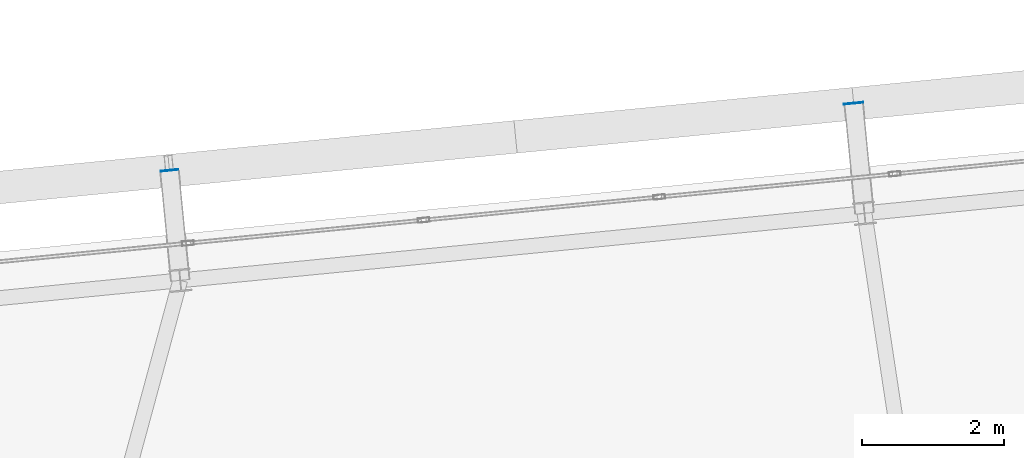
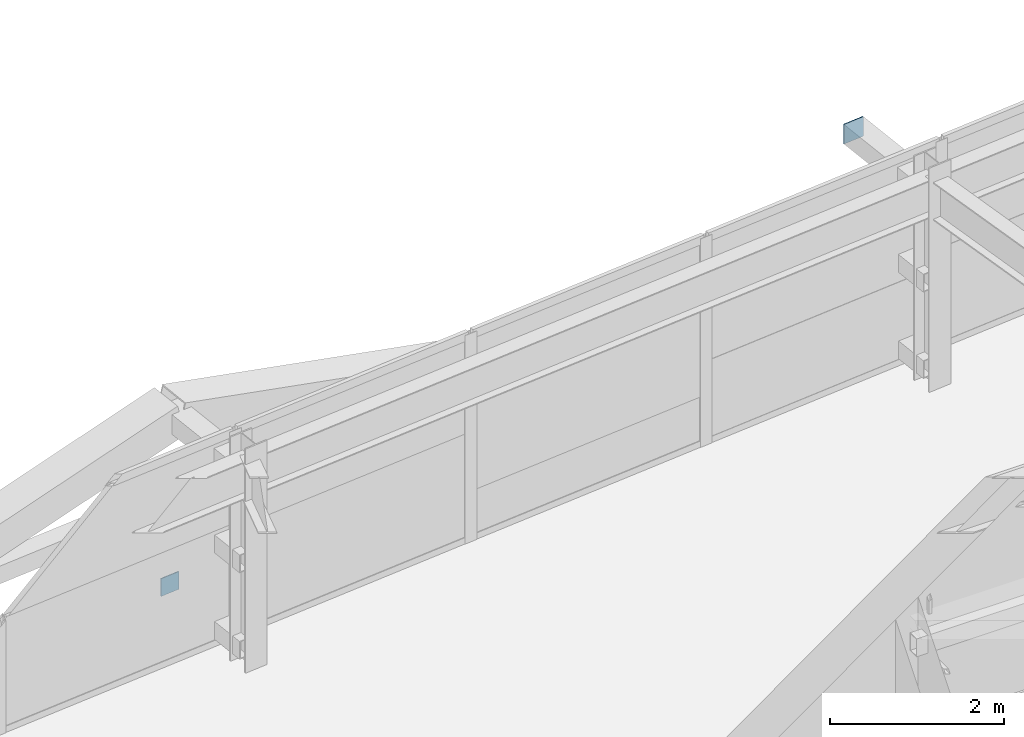
# One storey, part 44 of 53: 2 plates.
"""IFC4 building model written with IfcOpenShell, lengths in metres."""

from ifc_helpers import new_model, si_unit, direction, frame, origin, origin_2d, place, context, subcontext, project, spatial, rectangle, extrude, source, transform, mapped, material, layer, layer_set, type_object, element, save


model = new_model("IFC4")

# Units and contexts
model_context = context("Model", 3, precision=1e-05, world=origin(), true_north=direction((0.0, 1.0)))
body_context = subcontext(model_context, "Body", "Model", "MODEL_VIEW")
ifc_project = project(units=[si_unit("LENGTHUNIT", "METRE"), si_unit("AREAUNIT", "SQUARE_METRE"), si_unit("VOLUMEUNIT", "CUBIC_METRE"), si_unit("PLANEANGLEUNIT", "RADIAN"), si_unit("MASSUNIT", "GRAM", prefix="KILO")], contexts=[model_context])

# Site, building, storey
site_placement = place(None, origin())
site = spatial("IfcSite", under=ifc_project, at=site_placement, CompositionType="ELEMENT")
building_placement = place(site_placement, origin())
building = spatial("IfcBuilding", under=site, at=building_placement, Name="Taldren Reach Tower", CompositionType="ELEMENT")
storey_placement = place(building_placement, frame((0.0, 0.0, 68.25)))
storey = spatial("IfcBuildingStorey", under=building, at=storey_placement, Name="L20", CompositionType="ELEMENT", Elevation=68.25)

# Plates
ifc_material_1 = material(Name="Steel Gr 450 (C450L0)", Category="steel")
ifc_layer_1 = layer(ifc_material_1, 0.011962890625)
ifc_layer_set_1 = layer_set([ifc_layer_1], Name="Steel Gr 450 (C450L0)")
plate_type_1 = type_object("IfcPlateType", Name="PL-CAP-275", PredefinedType="SHEET", material=ifc_layer_set_1)
shared_shape_1 = source(origin(), body_context, "Body", "SweptSolid", [
    extrude(rectangle(XDim=0.27490234375, YDim=0.011962890625, at=origin_2d()), origin(), (0.0, 0.0, 1.0), 0.27490234375),
])
plate_1_placement = place(storey_placement, frame((49.980224609375, 39.283935546875, 2.512451171875), z_axis=(0.0, 0.0, 1.0), x_axis=(0.995227399982, 0.097582899759, 0.0)))
element("IfcPlate", 1, at=plate_1_placement, inside=storey, type_object=plate_type_1, Name="Tie strut end cap plate B2-N5 L20", PredefinedType="SHEET", context=body_context, shape_type="MappedRepresentation", body=[
    mapped(shared_shape_1, transform((0.0, 0.0, 0.0), scale=1.0)),
])
ifc_material_2 = material(Name="Steel Gr 350 (C350L0)", Category="steel")
ifc_layer_2 = layer(ifc_material_2, 0.011962890625)
ifc_layer_set_2 = layer_set([ifc_layer_2], Name="Steel Gr 350 (C350L0)")
plate_type_2 = type_object("IfcPlateType", Name="PL-CAP-250", PredefinedType="SHEET", material=ifc_layer_set_2)
shared_shape_2 = source(origin(), body_context, "Body", "SweptSolid", [
    extrude(rectangle(XDim=0.25, YDim=0.011962890625, at=origin_2d()), origin(), (0.0, 0.0, 1.0), 0.25),
])
plate_2_placement = place(storey_placement, frame((40.346435546875, 38.33935546875, 0.094970703125), z_axis=(0.0, 0.0, 1.0), x_axis=(0.995227399982, 0.097582899759, 0.0)))
element("IfcPlate", 2, at=plate_2_placement, inside=storey, type_object=plate_type_2, Name="Tie strut end cap plate B2-N4 L20", PredefinedType="SHEET", context=body_context, shape_type="MappedRepresentation", body=[
    mapped(shared_shape_2, transform((0.0, 0.0, 0.0), scale=1.0)),
])

save(model, "model.ifc")
